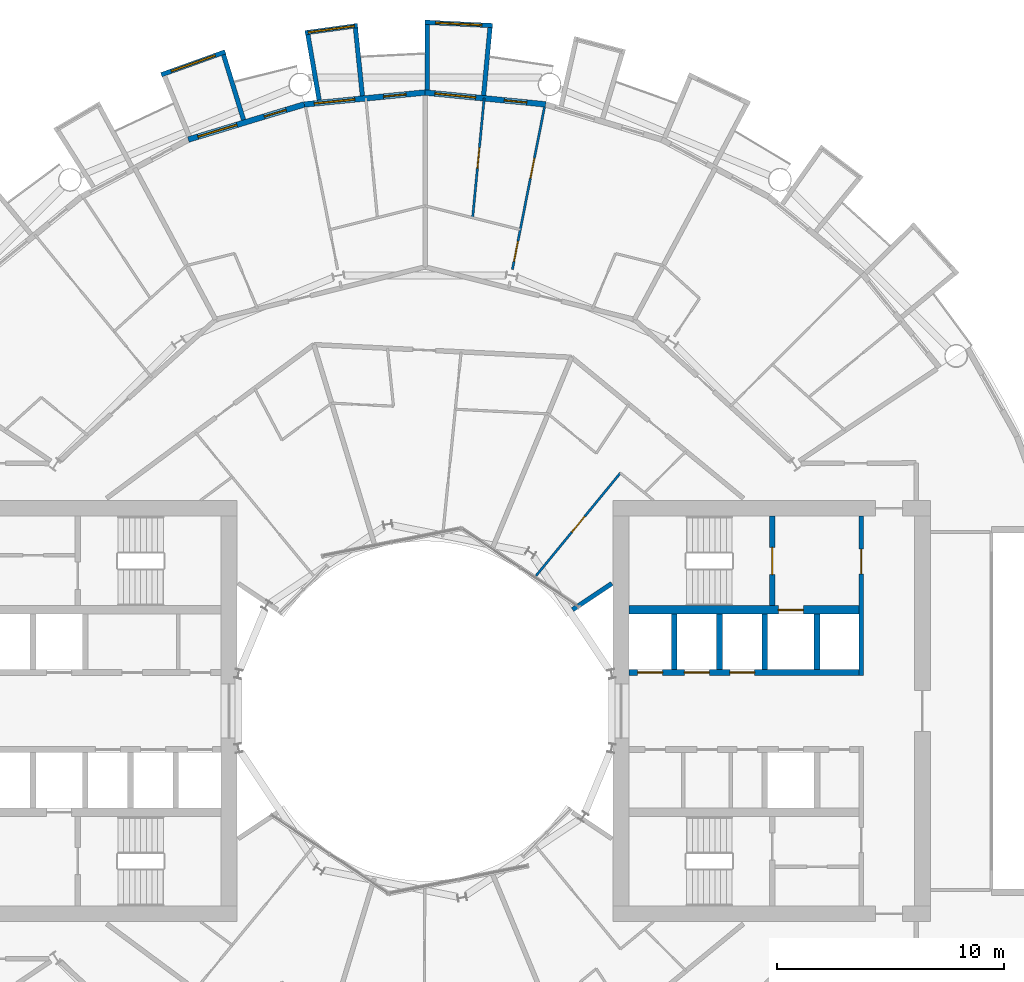
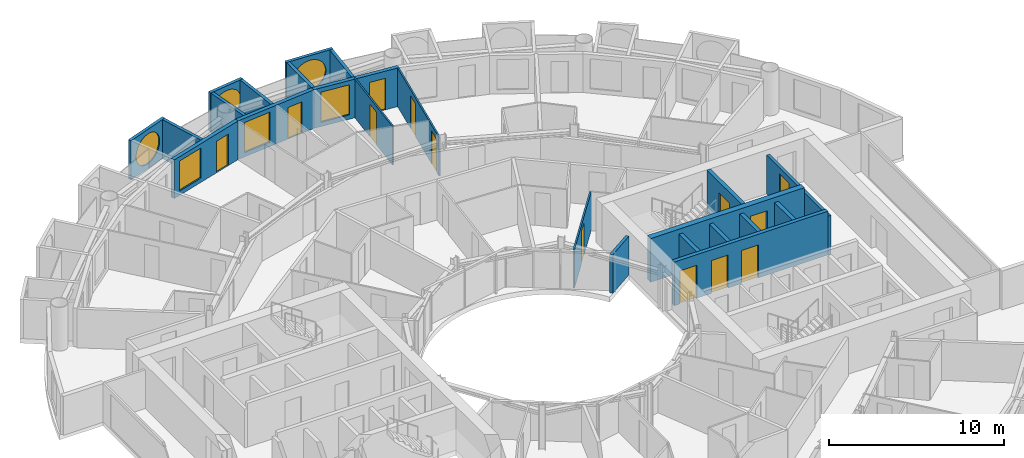
# One storey, part 20 of 26: 23 walls, 13 doors, 6 windows, 19 openings.
"""IFC4 building model written with IfcOpenShell, lengths in metres."""

from ifc_helpers import new_model, si_unit, direction, frame, frame_2d, origin, place, context, subcontext, project, spatial, rectangle, circle, extrude, material, layer, layer_set, type_object, element, fill, save


model = new_model("IFC4")

# Units and contexts
model_context = context("Model", 3, precision=1e-05, world=origin(), true_north=direction((0.0, 1.0)))
body_context = subcontext(model_context, "Body", "Model", "MODEL_VIEW")
ifc_project = project(units=[si_unit("LENGTHUNIT", "METRE"), si_unit("AREAUNIT", "SQUARE_METRE"), si_unit("VOLUMEUNIT", "CUBIC_METRE"), si_unit("PLANEANGLEUNIT", "RADIAN"), si_unit("MASSUNIT", "GRAM", prefix="KILO")], contexts=[model_context])

# Site, building, storey
site_placement = place(None, origin())
site = spatial("IfcSite", under=ifc_project, at=site_placement, CompositionType="ELEMENT")
building_placement = place(site_placement, origin())
building = spatial("IfcBuilding", under=site, at=building_placement, Name="Maasbend Ring Residences", CompositionType="ELEMENT")
storey_placement = place(building_placement, frame((0.0, 0.0, 81.89990234375)))
storey = spatial("IfcBuildingStorey", under=building, at=storey_placement, Name="L23", CompositionType="ELEMENT", Elevation=81.89990234375)

# Wall, openings, doors
ifc_material_1 = material(Name="Concrete C70/85", Category="concrete")
ifc_layer_1 = layer(ifc_material_1, 0.25)
ifc_layer_set_1 = layer_set([ifc_layer_1], Name="Concrete C70/85")
wall_type_1 = type_object("IfcWallType", Name="CORE WALL 250 C70/85", PredefinedType="SHEAR", material=ifc_layer_set_1)
wall_1_placement = place(storey_placement, frame((9.0, 1.699951171875, 0.0), z_axis=(0.0, 0.0, 1.0), x_axis=(1.0, 0.0, 0.0)))
wall_1 = element("IfcWall", 1, at=wall_1_placement, inside=storey, type_object=wall_type_1, Name="L23 core E wall SPN", PredefinedType="SHEAR", context=body_context, shape_type="SweptSolid", body=[
    extrude(rectangle(XDim=10.14990234375, YDim=0.25, at=frame_2d((5.074951171875, 0.0))), origin(), (0.0, 0.0, 1.0), 3.050048828125),
])
opening_1_placement = place(wall_1_placement, frame((0.387451171875, 0.0, 0.0)))
opening_1 = element("IfcOpeningElement", 2, at=opening_1_placement, cuts=wall_1, Name="Opening LD-E2301", PredefinedType="OPENING", context=body_context, shape_type="SweptSolid", body=[
    extrude(rectangle(XDim=1.10009765625, YDim=2.300048828125, at=frame_2d((0.550048828125, 1.14990234375))), frame((0.0, 0.135009765625, 0.0), z_axis=(0.0, -1.0, 0.0), x_axis=(1.0, 0.0, 0.0)), (0.0, 0.0, 1.0), 0.27001953125),
])
opening_2_placement = place(wall_1_placement, frame((2.449951171875, 0.0, 0.0)))
opening_2 = element("IfcOpeningElement", 3, at=opening_2_placement, cuts=wall_1, Name="Opening LD-E2302", PredefinedType="OPENING", context=body_context, shape_type="SweptSolid", body=[
    extrude(rectangle(XDim=1.10009765625, YDim=2.300048828125, at=frame_2d((0.550048828125, 1.14990234375))), frame((0.0, 0.135009765625, 0.0), z_axis=(0.0, -1.0, 0.0), x_axis=(1.0, 0.0, 0.0)), (0.0, 0.0, 1.0), 0.27001953125),
])
opening_3_placement = place(wall_1_placement, frame((4.449951171875, 0.0, 0.0)))
opening_3 = element("IfcOpeningElement", 4, at=opening_3_placement, cuts=wall_1, Name="Opening LD-E2303", PredefinedType="OPENING", context=body_context, shape_type="SweptSolid", body=[
    extrude(rectangle(XDim=1.10009765625, YDim=2.300048828125, at=frame_2d((0.550048828125, 1.14990234375))), frame((0.0, 0.135009765625, 0.0), z_axis=(0.0, -1.0, 0.0), x_axis=(1.0, 0.0, 0.0)), (0.0, 0.0, 1.0), 0.27001953125),
])
ifc_material_2 = material(Name="Stainless steel 316", Category="steel")
door_type_1 = type_object("IfcDoorType", Name="LANDING DOOR 1100 X 2300 FD60", OperationType="DOUBLE_DOOR_SLIDING", PredefinedType="DOOR", material=ifc_material_2)
door_1_placement = place(opening_1_placement, origin())
door_1 = element("IfcDoor", 5, at=door_1_placement, inside=storey, type_object=door_type_1, Name="Landing door LR-E1 L23", OperationType="DOUBLE_DOOR_SLIDING", OverallHeight=2.300048828125, OverallWidth=1.10009765625, PredefinedType="DOOR", context=body_context, shape_type="SweptSolid", body=[
    extrude(rectangle(XDim=1.10009765625, YDim=2.300048828125, at=frame_2d((0.550048828125, 1.14990234375))), frame((0.0, 0.02490234375, 0.0), z_axis=(0.0, -1.0, 0.0), x_axis=(1.0, 0.0, 0.0)), (0.0, 0.0, 1.0), 0.050048828125),
])
fill(opening_1, door_1)
door_2_placement = place(opening_2_placement, origin())
door_2 = element("IfcDoor", 6, at=door_2_placement, inside=storey, type_object=door_type_1, Name="Landing door LR-E2 L23", OperationType="DOUBLE_DOOR_SLIDING", OverallHeight=2.300048828125, OverallWidth=1.10009765625, PredefinedType="DOOR", context=body_context, shape_type="SweptSolid", body=[
    extrude(rectangle(XDim=1.10009765625, YDim=2.300048828125, at=frame_2d((0.550048828125, 1.14990234375))), frame((0.0, 0.02490234375, 0.0), z_axis=(0.0, -1.0, 0.0), x_axis=(1.0, 0.0, 0.0)), (0.0, 0.0, 1.0), 0.050048828125),
])
fill(opening_2, door_2)
door_3_placement = place(opening_3_placement, origin())
door_3 = element("IfcDoor", 7, at=door_3_placement, inside=storey, type_object=door_type_1, Name="Landing door LR-E3 L23", OperationType="DOUBLE_DOOR_SLIDING", OverallHeight=2.300048828125, OverallWidth=1.10009765625, PredefinedType="DOOR", context=body_context, shape_type="SweptSolid", body=[
    extrude(rectangle(XDim=1.10009765625, YDim=2.300048828125, at=frame_2d((0.550048828125, 1.14990234375))), frame((0.0, 0.02490234375, 0.0), z_axis=(0.0, -1.0, 0.0), x_axis=(1.0, 0.0, 0.0)), (0.0, 0.0, 1.0), 0.050048828125),
])
fill(opening_3, door_3)

# Wall, opening, door
wall_2_placement = place(storey_placement, frame((15.324951171875, 4.64990234375, 0.0), z_axis=(0.0, 0.0, 1.0), x_axis=(0.0, 1.0, 0.0)))
wall_2 = element("IfcWall", 8, at=wall_2_placement, inside=storey, type_object=wall_type_1, Name="L23 core E wall STEN", PredefinedType="SHEAR", context=body_context, shape_type="SweptSolid", body=[
    extrude(rectangle(XDim=3.9501953125, YDim=0.25, at=frame_2d((1.97509765625, 0.0))), origin(), (0.0, 0.0, 1.0), 3.050048828125),
])
opening_4_placement = place(wall_2_placement, frame((1.375, 0.0, 0.0)))
opening_4 = element("IfcOpeningElement", 9, at=opening_4_placement, cuts=wall_2, Name="Opening D-E2311", PredefinedType="OPENING", context=body_context, shape_type="SweptSolid", body=[
    extrude(rectangle(XDim=1.199951171875, YDim=2.300048828125, at=frame_2d((0.60009765625, 1.14990234375))), frame((0.0, 0.135009765625, 0.0), z_axis=(0.0, -1.0, 0.0), x_axis=(1.0, 0.0, 0.0)), (0.0, 0.0, 1.0), 0.27001953125),
])
ifc_material_3 = material(Name="Steel, powder coated", Category="steel")
door_type_2 = type_object("IfcDoorType", Name="STAIR DOOR 1200 X 2300 FD60", OperationType="NOTDEFINED", PredefinedType="DOOR", material=ifc_material_3)
door_4_placement = place(opening_4_placement, origin())
door_4 = element("IfcDoor", 10, at=door_4_placement, inside=storey, type_object=door_type_2, Name="Stair door ST-E L23", OperationType="SINGLE_SWING_LEFT", OverallHeight=2.300048828125, OverallWidth=1.199951171875, PredefinedType="DOOR", context=body_context, shape_type="SweptSolid", body=[
    extrude(rectangle(XDim=1.199951171875, YDim=2.300048828125, at=frame_2d((0.60009765625, 1.14990234375))), frame((0.0, 0.02490234375, 0.0), z_axis=(0.0, -1.0, 0.0), x_axis=(1.0, 0.0, 0.0)), (0.0, 0.0, 1.0), 0.050048828125),
])
fill(opening_4, door_4)

ifc_material_4 = material(Name="Concrete C70/85", Category="concrete")
ifc_layer_2 = layer(ifc_material_4, 0.375)
ifc_layer_set_2 = layer_set([ifc_layer_2], Name="Concrete C70/85")
wall_type_2 = type_object("IfcWallType", Name="CORE WALL 375 C70/85", PredefinedType="SHEAR", material=ifc_layer_set_2)
wall_3_placement = place(storey_placement, frame((9.0, 4.46240234375, 0.0), z_axis=(0.0, 0.0, 1.0), x_axis=(1.0, 0.0, 0.0)))
wall_3 = element("IfcWall", 11, at=wall_3_placement, inside=storey, type_object=wall_type_2, Name="L23 core E wall BN", PredefinedType="SHEAR", context=body_context, shape_type="SweptSolid", body=[
    extrude(rectangle(XDim=10.14990234375, YDim=0.375, at=frame_2d((5.074951171875, 0.0))), origin(), (0.0, 0.0, 1.0), 3.050048828125),
])
opening_5_placement = place(wall_3_placement, frame((6.60009765625, 0.0, 0.0)))
opening_5 = element("IfcOpeningElement", 12, at=opening_5_placement, cuts=wall_3, Name="Opening LD-E2304", PredefinedType="OPENING", context=body_context, shape_type="SweptSolid", body=[
    extrude(rectangle(XDim=1.10009765625, YDim=2.300048828125, at=frame_2d((0.550048828125, 1.14990234375))), frame((0.0, 0.197509765625, 0.0), z_axis=(0.0, -1.0, 0.0), x_axis=(1.0, 0.0, 0.0)), (0.0, 0.0, 1.0), 0.39501953125),
])
door_5_placement = place(opening_5_placement, origin())
door_5 = element("IfcDoor", 13, at=door_5_placement, inside=storey, type_object=door_type_1, Name="Landing door FF-E L23", OperationType="DOUBLE_DOOR_SLIDING", OverallHeight=2.300048828125, OverallWidth=1.10009765625, PredefinedType="DOOR", context=body_context, shape_type="SweptSolid", body=[
    extrude(rectangle(XDim=1.10009765625, YDim=2.300048828125, at=frame_2d((0.550048828125, 1.14990234375))), frame((0.0, 0.02490234375, 0.0), z_axis=(0.0, -1.0, 0.0), x_axis=(1.0, 0.0, 0.0)), (0.0, 0.0, 1.0), 0.050048828125),
])
fill(opening_5, door_5)

# Wall, opening, window
ifc_material_5 = material(Name="Pale anodised aluminium panel", Category="aluminium")
ifc_layer_3 = layer(ifc_material_5, 0.199951171875)
ifc_layer_set_3 = layer_set([ifc_layer_3], Name="EW-BOX")
wall_type_3 = type_object("IfcWallType", Name="EW-BOX", PredefinedType="SOLIDWALL", material=ifc_layer_set_3)
wall_4_placement = place(storey_placement, frame((2.985107421875, 30.2529296875, -0.02978515625), z_axis=(0.0, 0.0, 1.0), x_axis=(-0.998794083011, 0.049095618353, 0.0)))
wall_4 = element("IfcWall", 14, at=wall_4_placement, inside=storey, type_object=wall_type_3, Name="Box front N10", PredefinedType="SOLIDWALL", context=body_context, shape_type="SweptSolid", body=[
    extrude(rectangle(XDim=2.99365234375, YDim=0.199951171875, at=frame_2d((1.496826171875, 0.0))), origin(), (0.0, 0.0, 1.0), 2.72998046875),
])
opening_6_placement = place(wall_4_placement, frame((0.45654296875, 0.0, 0.330078125)))
opening_6 = element("IfcOpeningElement", 15, at=opening_6_placement, cuts=wall_4, Name="Opening W-RD", PredefinedType="OPENING", context=body_context, shape_type="SweptSolid", body=[
    extrude(circle(Radius=1.0400390625, at=frame_2d((1.0400390625, 1.0400390625))), frame((0.0, 0.10986328125, 0.0), z_axis=(0.0, -1.0, 0.0), x_axis=(1.0, 0.0, 0.0)), (0.0, 0.0, 1.0), 0.219970703125),
])
ifc_material_6 = material(Name="Aluminium and clear glass", Category="aluminium")
window_type_1 = type_object("IfcWindowType", Name="W-RD", PartitioningType="SINGLE_PANEL", PredefinedType="WINDOW", material=ifc_material_6)
window_1_placement = place(opening_6_placement, origin())
window_1 = element("IfcWindow", 16, at=window_1_placement, inside=storey, type_object=window_type_1, Name="Round window N10", OverallHeight=2.080078125, OverallWidth=2.080078125, PartitioningType="SINGLE_PANEL", PredefinedType="WINDOW", context=body_context, shape_type="SweptSolid", body=[
    extrude(circle(Radius=1.0400390625, at=frame_2d((1.0400390625, 1.0400390625))), frame((0.0, 0.030029296875, 0.0), z_axis=(0.0, -1.0, 0.0), x_axis=(1.0, 0.0, 0.0)), (0.0, 0.0, 1.0), 0.06005859375),
])
fill(opening_6, window_1)

# Walls
wall_5_placement = place(storey_placement, frame((2.5859375, 27.1708984375, -0.02978515625), z_axis=(0.0, 0.0, 1.0), x_axis=(0.094548432284, 0.995520262954, 0.0)))
element("IfcWall", 17, at=wall_5_placement, inside=storey, type_object=wall_type_3, Name="Box side wall N10 left", PredefinedType="SOLIDWALL", context=body_context, shape_type="SweptSolid", body=[
    extrude(rectangle(XDim=3.005615234375, YDim=0.199951171875, at=frame_2d((1.5029296875, 0.0))), origin(), (0.0, 0.0, 1.0), 2.72998046875),
])
wall_6_placement = place(storey_placement, frame((0.090087890625, 27.4169921875, -0.02978515625), z_axis=(0.0, 0.0, 1.0), x_axis=(0.00347308367, 0.999993968827, 0.0)))
element("IfcWall", 18, at=wall_6_placement, inside=storey, type_object=wall_type_3, Name="Box side wall N10 right", PredefinedType="SOLIDWALL", context=body_context, shape_type="SweptSolid", body=[
    extrude(rectangle(XDim=2.882080078125, YDim=0.199951171875, at=frame_2d((1.44091796875, 0.0))), origin(), (0.0, 0.0, 1.0), 2.72998046875),
])

# Wall, opening, window
wall_7_placement = place(storey_placement, frame((-2.97607421875, 30.25390625, -0.02978515625), z_axis=(0.0, 0.0, 1.0), x_axis=(-0.990696111261, -0.136092671119, 0.0)))
wall_7 = element("IfcWall", 19, at=wall_7_placement, inside=storey, type_object=wall_type_3, Name="Box front N12", PredefinedType="SOLIDWALL", context=body_context, shape_type="SweptSolid", body=[
    extrude(rectangle(XDim=2.335693359375, YDim=0.199951171875, at=frame_2d((1.16796875, 0.0))), origin(), (0.0, 0.0, 1.0), 2.72998046875),
])
opening_7_placement = place(wall_7_placement, frame((0.128173828125, 0.0, 0.330078125)))
opening_7 = element("IfcOpeningElement", 20, at=opening_7_placement, cuts=wall_7, Name="Opening W-RD", PredefinedType="OPENING", context=body_context, shape_type="SweptSolid", body=[
    extrude(circle(Radius=1.0400390625, at=frame_2d((1.0400390625, 1.0400390625))), frame((0.0, 0.10986328125, 0.0), z_axis=(0.0, -1.0, 0.0), x_axis=(1.0, 0.0, 0.0)), (0.0, 0.0, 1.0), 0.219970703125),
])
window_2_placement = place(opening_7_placement, origin())
window_2 = element("IfcWindow", 21, at=window_2_placement, inside=storey, type_object=window_type_1, Name="Round window N12", OverallHeight=2.080078125, OverallWidth=2.080078125, PartitioningType="SINGLE_PANEL", PredefinedType="WINDOW", context=body_context, shape_type="SweptSolid", body=[
    extrude(circle(Radius=1.0400390625, at=frame_2d((1.0400390625, 1.0400390625))), frame((0.0, 0.030029296875, 0.0), z_axis=(0.0, -1.0, 0.0), x_axis=(1.0, 0.0, 0.0)), (0.0, 0.0, 1.0), 0.06005859375),
])
fill(opening_7, window_2)

# Walls
wall_8_placement = place(storey_placement, frame((-2.763916015625, 27.153076171875, -0.02978515625), z_axis=(0.0, 0.0, 1.0), x_axis=(-0.101505487237, 0.994834979311, 0.0)))
element("IfcWall", 22, at=wall_8_placement, inside=storey, type_object=wall_type_3, Name="Box side wall N12 left", PredefinedType="SOLIDWALL", context=body_context, shape_type="SweptSolid", body=[
    extrude(rectangle(XDim=3.006591796875, YDim=0.199951171875, at=frame_2d((1.50341796875, 0.0))), origin(), (0.0, 0.0, 1.0), 2.72998046875),
])
wall_9_placement = place(storey_placement, frame((-4.6708984375, 26.966064453125, -0.02978515625), z_axis=(0.0, 0.0, 1.0), x_axis=(-0.170539878907, 0.985350774954, 0.0)))
element("IfcWall", 23, at=wall_9_placement, inside=storey, type_object=wall_type_3, Name="Box side wall N12 right", PredefinedType="SOLIDWALL", context=body_context, shape_type="SweptSolid", body=[
    extrude(rectangle(XDim=2.931884765625, YDim=0.199951171875, at=frame_2d((1.4658203125, 0.0))), origin(), (0.0, 0.0, 1.0), 2.72998046875),
])

# Wall, opening, window
wall_10_placement = place(storey_placement, frame((-8.820068359375, 29.093017578125, -0.02978515625), z_axis=(0.0, 0.0, 1.0), x_axis=(-0.941461077774, -0.337121697664, 0.0)))
wall_10 = element("IfcWall", 24, at=wall_10_placement, inside=storey, type_object=wall_type_3, Name="Box front N14", PredefinedType="SOLIDWALL", context=body_context, shape_type="SweptSolid", body=[
    extrude(rectangle(XDim=2.9931640625, YDim=0.199951171875, at=frame_2d((1.49658203125, 0.0))), origin(), (0.0, 0.0, 1.0), 2.72998046875),
])
opening_8_placement = place(wall_10_placement, frame((0.45654296875, 0.0, 0.330078125)))
opening_8 = element("IfcOpeningElement", 25, at=opening_8_placement, cuts=wall_10, Name="Opening W-RD", PredefinedType="OPENING", context=body_context, shape_type="SweptSolid", body=[
    extrude(circle(Radius=1.0400390625, at=frame_2d((1.0400390625, 1.0400390625))), frame((0.0, 0.10986328125, 0.0), z_axis=(0.0, -1.0, 0.0), x_axis=(1.0, 0.0, 0.0)), (0.0, 0.0, 1.0), 0.219970703125),
])
window_3_placement = place(opening_8_placement, origin())
window_3 = element("IfcWindow", 26, at=window_3_placement, inside=storey, type_object=window_type_1, Name="Round window N14", OverallHeight=2.080078125, OverallWidth=2.080078125, PartitioningType="SINGLE_PANEL", PredefinedType="WINDOW", context=body_context, shape_type="SweptSolid", body=[
    extrude(circle(Radius=1.0400390625, at=frame_2d((1.0400390625, 1.0400390625))), frame((0.0, 0.030029296875, 0.0), z_axis=(0.0, -1.0, 0.0), x_axis=(1.0, 0.0, 0.0)), (0.0, 0.0, 1.0), 0.06005859375),
])
fill(opening_8, window_3)

# Wall
wall_11_placement = place(storey_placement, frame((-8.009033203125, 26.092041015625, -0.02978515625), z_axis=(0.0, 0.0, 1.0), x_axis=(-0.293406695073, 0.955987715029, 0.0)))
element("IfcWall", 27, at=wall_11_placement, inside=storey, type_object=wall_type_3, Name="Box side wall N14 left", PredefinedType="SOLIDWALL", context=body_context, shape_type="SweptSolid", body=[
    extrude(rectangle(XDim=3.00634765625, YDim=0.199951171875, at=frame_2d((1.503173828125, 0.0))), origin(), (0.0, 0.0, 1.0), 2.72998046875),
])

# Wall, openings, door, window
ifc_material_7 = material(Name="Aluminium clad insulated panel", Category="aluminium")
ifc_layer_4 = layer(ifc_material_7, 0.25)
ifc_layer_set_4 = layer_set([ifc_layer_4], Name="EW-GL")
wall_type_4 = type_object("IfcWallType", Name="EW-GL", PredefinedType="SOLIDWALL", material=ifc_layer_set_4)
wall_12_placement = place(storey_placement, frame((5.325927734375, 26.77490234375, 0.0), z_axis=(0.0, 0.0, 1.0), x_axis=(-0.995173996315, 0.098126026407, 0.0)))
wall_12 = element("IfcWall", 28, at=wall_12_placement, inside=storey, type_object=wall_type_4, Name="External wall N05", PredefinedType="SOLIDWALL", context=body_context, shape_type="SweptSolid", body=[
    extrude(rectangle(XDim=5.351806640625, YDim=0.25, at=frame_2d((2.67578125, 0.0))), origin(), (0.0, 0.0, 1.0), 2.7001953125),
])
opening_9_placement = place(wall_12_placement, frame((0.841064453125, 0.0, 0.0)))
opening_9 = element("IfcOpeningElement", 29, at=opening_9_placement, cuts=wall_12, Name="Opening D-LG", PredefinedType="OPENING", context=body_context, shape_type="SweptSolid", body=[
    extrude(rectangle(XDim=1.0, YDim=2.199951171875, at=frame_2d((0.5, 1.10009765625))), frame((0.0, 0.135009765625, 0.0), z_axis=(0.0, -1.0, 0.0), x_axis=(1.0, 0.0, 0.0)), (0.0, 0.0, 1.0), 0.27001953125),
])
opening_10_placement = place(wall_12_placement, frame((3.110595703125, 0.0, 0.300048828125)))
opening_10 = element("IfcOpeningElement", 30, at=opening_10_placement, cuts=wall_12, Name="Opening W-BX", PredefinedType="OPENING", context=body_context, shape_type="SweptSolid", body=[
    extrude(rectangle(XDim=1.800048828125, YDim=2.10009765625, at=frame_2d((0.89990234375, 1.050048828125))), frame((0.0, 0.135009765625, 0.0), z_axis=(0.0, -1.0, 0.0), x_axis=(1.0, 0.0, 0.0)), (0.0, 0.0, 1.0), 0.27001953125),
])
ifc_material_8 = material(Name="Aluminium and clear glass", Category="aluminium")
door_type_3 = type_object("IfcDoorType", Name="D-LG", OperationType="SINGLE_SWING_LEFT", PredefinedType="DOOR", material=ifc_material_8)
door_6_placement = place(opening_9_placement, origin())
door_6 = element("IfcDoor", 31, at=door_6_placement, inside=storey, type_object=door_type_3, Name="Loggia door N09", OperationType="SINGLE_SWING_LEFT", OverallHeight=2.199951171875, OverallWidth=1.0, PredefinedType="DOOR", context=body_context, shape_type="SweptSolid", body=[
    extrude(rectangle(XDim=1.0, YDim=2.199951171875, at=frame_2d((0.5, 1.10009765625))), frame((0.0, 0.02490234375, 0.0), z_axis=(0.0, -1.0, 0.0), x_axis=(1.0, 0.0, 0.0)), (0.0, 0.0, 1.0), 0.050048828125),
])
fill(opening_9, door_6)
ifc_material_9 = material(Name="Aluminium and clear glass", Category="aluminium")
window_type_2 = type_object("IfcWindowType", Name="W-BX", PartitioningType="DOUBLE_PANEL_VERTICAL", PredefinedType="WINDOW", material=ifc_material_9)
window_4_placement = place(opening_10_placement, origin())
window_4 = element("IfcWindow", 32, at=window_4_placement, inside=storey, type_object=window_type_2, Name="Window N10 room to box", OverallHeight=2.10009765625, OverallWidth=1.800048828125, PartitioningType="SINGLE_PANEL", PredefinedType="WINDOW", context=body_context, shape_type="SweptSolid", body=[
    extrude(rectangle(XDim=1.800048828125, YDim=2.10009765625, at=frame_2d((0.89990234375, 1.050048828125))), frame((0.0, 0.030029296875, 0.0), z_axis=(0.0, -1.0, 0.0), x_axis=(1.0, 0.0, 0.0)), (0.0, 0.0, 1.0), 0.06005859375),
])
fill(opening_10, window_4)

wall_13_placement = place(storey_placement, frame((0.0, 27.300048828125, 0.0), z_axis=(0.0, 0.0, 1.0), x_axis=(-0.995173996315, -0.098126026407, 0.0)))
wall_13 = element("IfcWall", 33, at=wall_13_placement, inside=storey, type_object=wall_type_4, Name="External wall N06", PredefinedType="SOLIDWALL", context=body_context, shape_type="SweptSolid", body=[
    extrude(rectangle(XDim=5.351806640625, YDim=0.25, at=frame_2d((2.67578125, 0.0))), origin(), (0.0, 0.0, 1.0), 2.7001953125),
])
opening_11_placement = place(wall_13_placement, frame((0.841064453125, 0.0, 0.0)))
opening_11 = element("IfcOpeningElement", 34, at=opening_11_placement, cuts=wall_13, Name="Opening D-LG", PredefinedType="OPENING", context=body_context, shape_type="SweptSolid", body=[
    extrude(rectangle(XDim=1.0, YDim=2.199951171875, at=frame_2d((0.5, 1.10009765625))), frame((0.0, 0.135009765625, 0.0), z_axis=(0.0, -1.0, 0.0), x_axis=(1.0, 0.0, 0.0)), (0.0, 0.0, 1.0), 0.27001953125),
])
opening_12_placement = place(wall_13_placement, frame((3.110595703125, 0.0, 0.300048828125)))
opening_12 = element("IfcOpeningElement", 35, at=opening_12_placement, cuts=wall_13, Name="Opening W-BX", PredefinedType="OPENING", context=body_context, shape_type="SweptSolid", body=[
    extrude(rectangle(XDim=1.800048828125, YDim=2.10009765625, at=frame_2d((0.89990234375, 1.050048828125))), frame((0.0, 0.135009765625, 0.0), z_axis=(0.0, -1.0, 0.0), x_axis=(1.0, 0.0, 0.0)), (0.0, 0.0, 1.0), 0.27001953125),
])
door_7_placement = place(opening_11_placement, origin())
door_7 = element("IfcDoor", 36, at=door_7_placement, inside=storey, type_object=door_type_3, Name="Loggia door N11", OperationType="SINGLE_SWING_LEFT", OverallHeight=2.199951171875, OverallWidth=1.0, PredefinedType="DOOR", context=body_context, shape_type="SweptSolid", body=[
    extrude(rectangle(XDim=1.0, YDim=2.199951171875, at=frame_2d((0.5, 1.10009765625))), frame((0.0, 0.02490234375, 0.0), z_axis=(0.0, -1.0, 0.0), x_axis=(1.0, 0.0, 0.0)), (0.0, 0.0, 1.0), 0.050048828125),
])
fill(opening_11, door_7)
window_5_placement = place(opening_12_placement, origin())
window_5 = element("IfcWindow", 37, at=window_5_placement, inside=storey, type_object=window_type_2, Name="Window N12 room to box", OverallHeight=2.10009765625, OverallWidth=1.800048828125, PartitioningType="SINGLE_PANEL", PredefinedType="WINDOW", context=body_context, shape_type="SweptSolid", body=[
    extrude(rectangle(XDim=1.800048828125, YDim=2.10009765625, at=frame_2d((0.89990234375, 1.050048828125))), frame((0.0, 0.030029296875, 0.0), z_axis=(0.0, -1.0, 0.0), x_axis=(1.0, 0.0, 0.0)), (0.0, 0.0, 1.0), 0.06005859375),
])
fill(opening_12, window_5)

wall_14_placement = place(storey_placement, frame((-5.325927734375, 26.77490234375, 0.0), z_axis=(0.0, 0.0, 1.0), x_axis=(-0.956965678721, -0.290201119486, 0.0)))
wall_14 = element("IfcWall", 38, at=wall_14_placement, inside=storey, type_object=wall_type_4, Name="External wall N07", PredefinedType="SOLIDWALL", context=body_context, shape_type="SweptSolid", body=[
    extrude(rectangle(XDim=5.351318359375, YDim=0.25, at=frame_2d((2.67578125, 0.0))), origin(), (0.0, 0.0, 1.0), 2.7001953125),
])
opening_13_placement = place(wall_14_placement, frame((0.841064453125, 0.0, 0.0)))
opening_13 = element("IfcOpeningElement", 39, at=opening_13_placement, cuts=wall_14, Name="Opening D-LG", PredefinedType="OPENING", context=body_context, shape_type="SweptSolid", body=[
    extrude(rectangle(XDim=1.0, YDim=2.199951171875, at=frame_2d((0.5, 1.10009765625))), frame((0.0, 0.135009765625, 0.0), z_axis=(0.0, -1.0, 0.0), x_axis=(1.0, 0.0, 0.0)), (0.0, 0.0, 1.0), 0.27001953125),
])
opening_14_placement = place(wall_14_placement, frame((3.110595703125, 0.0, 0.300048828125)))
opening_14 = element("IfcOpeningElement", 40, at=opening_14_placement, cuts=wall_14, Name="Opening W-BX", PredefinedType="OPENING", context=body_context, shape_type="SweptSolid", body=[
    extrude(rectangle(XDim=1.800048828125, YDim=2.10009765625, at=frame_2d((0.89990234375, 1.050048828125))), frame((0.0, 0.135009765625, 0.0), z_axis=(0.0, -1.0, 0.0), x_axis=(1.0, 0.0, 0.0)), (0.0, 0.0, 1.0), 0.27001953125),
])
door_8_placement = place(opening_13_placement, origin())
door_8 = element("IfcDoor", 41, at=door_8_placement, inside=storey, type_object=door_type_3, Name="Loggia door N13", OperationType="SINGLE_SWING_LEFT", OverallHeight=2.199951171875, OverallWidth=1.0, PredefinedType="DOOR", context=body_context, shape_type="SweptSolid", body=[
    extrude(rectangle(XDim=1.0, YDim=2.199951171875, at=frame_2d((0.5, 1.10009765625))), frame((0.0, 0.02490234375, 0.0), z_axis=(0.0, -1.0, 0.0), x_axis=(1.0, 0.0, 0.0)), (0.0, 0.0, 1.0), 0.050048828125),
])
fill(opening_13, door_8)
window_6_placement = place(opening_14_placement, origin())
window_6 = element("IfcWindow", 42, at=window_6_placement, inside=storey, type_object=window_type_2, Name="Window N14 room to box", OverallHeight=2.10009765625, OverallWidth=1.800048828125, PartitioningType="SINGLE_PANEL", PredefinedType="WINDOW", context=body_context, shape_type="SweptSolid", body=[
    extrude(rectangle(XDim=1.800048828125, YDim=2.10009765625, at=frame_2d((0.89990234375, 1.050048828125))), frame((0.0, 0.030029296875, 0.0), z_axis=(0.0, -1.0, 0.0), x_axis=(1.0, 0.0, 0.0)), (0.0, 0.0, 1.0), 0.06005859375),
])
fill(opening_14, window_6)

# Wall, opening, door
ifc_material_10 = material(Name="Gypsum board on steel studs", Category="steel")
ifc_layer_5 = layer(ifc_material_10, 0.10009765625)
ifc_layer_set_5 = layer_set([ifc_layer_5], Name="PARTITION 100 GYPSUM")
wall_type_5 = type_object("IfcWallType", Name="PARTITION 100 GYPSUM", PredefinedType="PARTITIONING", material=ifc_layer_set_5)
wall_15_placement = place(storey_placement, frame((2.10205078125, 21.77294921875, 0.0), z_axis=(0.0, 0.0, 1.0), x_axis=(0.096215269366, 0.995360548716, 0.0)))
wall_15 = element("IfcWall", 43, at=wall_15_placement, inside=storey, type_object=wall_type_5, Name="U-L23-w057", PredefinedType="PARTITIONING", context=body_context, shape_type="SweptSolid", body=[
    extrude(rectangle(XDim=5.30078125, YDim=0.10009765625, at=frame_2d((2.650390625, 0.0))), origin(), (0.0, 0.0, 1.0), 2.7001953125),
])
opening_15_placement = place(wall_15_placement, frame((2.199951171875, 0.0, 0.0)))
opening_15 = element("IfcOpeningElement", 44, at=opening_15_placement, cuts=wall_15, Name="Opening D-2310", PredefinedType="OPENING", context=body_context, shape_type="SweptSolid", body=[
    extrude(rectangle(XDim=0.89990234375, YDim=2.300048828125, at=frame_2d((0.449951171875, 1.14990234375))), frame((0.0, 0.06005859375, 0.0), z_axis=(0.0, -1.0, 0.0), x_axis=(1.0, 0.0, 0.0)), (0.0, 0.0, 1.0), 0.1201171875),
])
ifc_material_11 = material(Name="Timber, painted", Category="wood")
door_type_4 = type_object("IfcDoorType", Name="INTERNAL DOOR 900 X 2300", OperationType="NOTDEFINED", PredefinedType="DOOR", material=ifc_material_11)
door_9_placement = place(opening_15_placement, origin())
door_9 = element("IfcDoor", 45, at=door_9_placement, inside=storey, type_object=door_type_4, Name="D-2310", OperationType="SINGLE_SWING_RIGHT", OverallHeight=2.300048828125, OverallWidth=0.89990234375, PredefinedType="DOOR", context=body_context, shape_type="SweptSolid", body=[
    extrude(rectangle(XDim=0.89990234375, YDim=2.300048828125, at=frame_2d((0.449951171875, 1.14990234375))), frame((0.0, 0.02490234375, 0.0), z_axis=(0.0, -1.0, 0.0), x_axis=(1.0, 0.0, 0.0)), (0.0, 0.0, 1.0), 0.050048828125),
])
fill(opening_15, door_9)

# Wall, openings, doors
wall_16_placement = place(storey_placement, frame((3.85595703125, 19.48388671875, 0.0), z_axis=(0.0, 0.0, 1.0), x_axis=(0.193900661819, 0.981021168654, 0.0)))
wall_16 = element("IfcWall", 46, at=wall_16_placement, inside=storey, type_object=wall_type_5, Name="U-L23-w062", PredefinedType="PARTITIONING", context=body_context, shape_type="SweptSolid", body=[
    extrude(rectangle(XDim=7.312744140625, YDim=0.10009765625, at=frame_2d((3.65625, 0.0))), origin(), (0.0, 0.0, 1.0), 2.7001953125),
])
opening_16_placement = place(wall_16_placement, frame((0.3740234375, 0.0, 0.0)))
opening_16 = element("IfcOpeningElement", 47, at=opening_16_placement, cuts=wall_16, Name="Opening D-2308", PredefinedType="OPENING", context=body_context, shape_type="SweptSolid", body=[
    extrude(rectangle(XDim=0.89990234375, YDim=2.300048828125, at=frame_2d((0.449951171875, 1.14990234375))), frame((0.0, 0.06005859375, 0.0), z_axis=(0.0, -1.0, 0.0), x_axis=(1.0, 0.0, 0.0)), (0.0, 0.0, 1.0), 0.1201171875),
])
opening_17_placement = place(wall_16_placement, frame((4.10498046875, 0.0, 0.0)))
opening_17 = element("IfcOpeningElement", 48, at=opening_17_placement, cuts=wall_16, Name="Opening D-2309", PredefinedType="OPENING", context=body_context, shape_type="SweptSolid", body=[
    extrude(rectangle(XDim=0.89990234375, YDim=2.300048828125, at=frame_2d((0.449951171875, 1.14990234375))), frame((0.0, 0.06005859375, 0.0), z_axis=(0.0, -1.0, 0.0), x_axis=(1.0, 0.0, 0.0)), (0.0, 0.0, 1.0), 0.1201171875),
])
door_10_placement = place(opening_16_placement, origin())
door_10 = element("IfcDoor", 49, at=door_10_placement, inside=storey, type_object=door_type_4, Name="D-2308", OperationType="SINGLE_SWING_LEFT", OverallHeight=2.300048828125, OverallWidth=0.89990234375, PredefinedType="DOOR", context=body_context, shape_type="SweptSolid", body=[
    extrude(rectangle(XDim=0.89990234375, YDim=2.300048828125, at=frame_2d((0.449951171875, 1.14990234375))), frame((0.0, 0.02490234375, 0.0), z_axis=(0.0, -1.0, 0.0), x_axis=(1.0, 0.0, 0.0)), (0.0, 0.0, 1.0), 0.050048828125),
])
fill(opening_16, door_10)
door_11_placement = place(opening_17_placement, origin())
door_11 = element("IfcDoor", 50, at=door_11_placement, inside=storey, type_object=door_type_4, Name="D-2309", OperationType="SINGLE_SWING_RIGHT", OverallHeight=2.300048828125, OverallWidth=0.89990234375, PredefinedType="DOOR", context=body_context, shape_type="SweptSolid", body=[
    extrude(rectangle(XDim=0.89990234375, YDim=2.300048828125, at=frame_2d((0.449951171875, 1.14990234375))), frame((0.0, 0.02490234375, 0.0), z_axis=(0.0, -1.0, 0.0), x_axis=(1.0, 0.0, 0.0)), (0.0, 0.0, 1.0), 0.050048828125),
])
fill(opening_17, door_11)

# Wall, opening, door
wall_17_placement = place(storey_placement, frame((4.89794921875, 5.968017578125, 0.0), z_axis=(0.0, 0.0, 1.0), x_axis=(0.634358693064, 0.773038840249, 0.0)))
wall_17 = element("IfcWall", 51, at=wall_17_placement, inside=storey, type_object=wall_type_5, Name="U-L23-w064", PredefinedType="PARTITIONING", context=body_context, shape_type="SweptSolid", body=[
    extrude(rectangle(XDim=5.86767578125, YDim=0.10009765625, at=frame_2d((2.933837890625, 0.0))), origin(), (0.0, 0.0, 1.0), 2.7001953125),
])
opening_18_placement = place(wall_17_placement, frame((2.48388671875, 0.0, 0.0)))
opening_18 = element("IfcOpeningElement", 52, at=opening_18_placement, cuts=wall_17, Name="Opening D-2324", PredefinedType="OPENING", context=body_context, shape_type="SweptSolid", body=[
    extrude(rectangle(XDim=0.89990234375, YDim=2.300048828125, at=frame_2d((0.449951171875, 1.14990234375))), frame((0.0, 0.06005859375, 0.0), z_axis=(0.0, -1.0, 0.0), x_axis=(1.0, 0.0, 0.0)), (0.0, 0.0, 1.0), 0.1201171875),
])
door_12_placement = place(opening_18_placement, origin())
door_12 = element("IfcDoor", 53, at=door_12_placement, inside=storey, type_object=door_type_4, Name="D-2324", OperationType="SINGLE_SWING_RIGHT", OverallHeight=2.300048828125, OverallWidth=0.89990234375, PredefinedType="DOOR", context=body_context, shape_type="SweptSolid", body=[
    extrude(rectangle(XDim=0.89990234375, YDim=2.300048828125, at=frame_2d((0.449951171875, 1.14990234375))), frame((0.0, 0.02490234375, 0.0), z_axis=(0.0, -1.0, 0.0), x_axis=(1.0, 0.0, 0.0)), (0.0, 0.0, 1.0), 0.050048828125),
])
fill(opening_18, door_12)

# Wall
ifc_material_12 = material(Name="Concrete C30/37", Category="concrete")
ifc_layer_6 = layer(ifc_material_12, 0.199951171875)
ifc_layer_set_6 = layer_set([ifc_layer_6], Name="Concrete C30/37")
wall_type_6 = type_object("IfcWallType", Name="PARTY WALL 200 CONCRETE", PredefinedType="PARTITIONING", material=ifc_layer_set_6)
wall_18_placement = place(storey_placement, frame((6.512939453125, 4.471923828125, 0.0), z_axis=(0.0, 0.0, 1.0), x_axis=(0.831382204863, 0.555701025225, 0.0)))
element("IfcWall", 54, at=wall_18_placement, inside=storey, type_object=wall_type_6, Name="U-L23-w083", PredefinedType="PARTITIONING", context=body_context, shape_type="SweptSolid", body=[
    extrude(rectangle(XDim=2.08203125, YDim=0.199951171875, at=frame_2d((1.041015625, 0.0))), origin(), (0.0, 0.0, 1.0), 2.7001953125),
])

# Wall, opening, door
ifc_material_13 = material(Name="Concrete C30/37", Category="concrete")
ifc_layer_7 = layer(ifc_material_13, 0.199951171875)
ifc_layer_set_7 = layer_set([ifc_layer_7], Name="Concrete C30/37")
wall_type_7 = type_object("IfcWallType", Name="SHAFT WALL 200 EI 120", PredefinedType="SOLIDWALL", material=ifc_layer_set_7)
wall_19_placement = place(storey_placement, frame((19.25, 1.574951171875, 0.0), z_axis=(0.0, 0.0, 1.0), x_axis=(0.0, 1.0, 0.0)))
wall_19 = element("IfcWall", 55, at=wall_19_placement, inside=storey, type_object=wall_type_7, Name="L23 core E wall ENDN", PredefinedType="SOLIDWALL", context=body_context, shape_type="SweptSolid", body=[
    extrude(rectangle(XDim=7.025146484375, YDim=0.199951171875, at=frame_2d((3.5126953125, 0.0))), origin(), (0.0, 0.0, 1.0), 2.7001953125),
])
opening_19_placement = place(wall_19_placement, frame((4.47509765625, 0.0, 0.0)))
opening_19 = element("IfcOpeningElement", 56, at=opening_19_placement, cuts=wall_19, Name="Opening D-E2313", PredefinedType="OPENING", context=body_context, shape_type="SweptSolid", body=[
    extrude(rectangle(XDim=1.10009765625, YDim=2.300048828125, at=frame_2d((0.550048828125, 1.14990234375))), frame((0.0, 0.10986328125, 0.0), z_axis=(0.0, -1.0, 0.0), x_axis=(1.0, 0.0, 0.0)), (0.0, 0.0, 1.0), 0.219970703125),
])
ifc_material_14 = material(Name="Steel, powder coated", Category="steel")
door_type_5 = type_object("IfcDoorType", Name="LOBBY DOOR 1100 X 2300 FD60", OperationType="NOTDEFINED", PredefinedType="DOOR", material=ifc_material_14)
door_13_placement = place(opening_19_placement, origin())
door_13 = element("IfcDoor", 57, at=door_13_placement, inside=storey, type_object=door_type_5, Name="Lobby door L23", OperationType="SINGLE_SWING_LEFT", OverallHeight=2.300048828125, OverallWidth=1.10009765625, PredefinedType="DOOR", context=body_context, shape_type="SweptSolid", body=[
    extrude(rectangle(XDim=1.10009765625, YDim=2.300048828125, at=frame_2d((0.550048828125, 1.14990234375))), frame((0.0, 0.02490234375, 0.0), z_axis=(0.0, -1.0, 0.0), x_axis=(1.0, 0.0, 0.0)), (0.0, 0.0, 1.0), 0.050048828125),
])
fill(opening_19, door_13)

# Walls
ifc_material_15 = material(Name="Concrete C30/37", Category="concrete")
ifc_layer_8 = layer(ifc_material_15, 0.25)
ifc_layer_set_8 = layer_set([ifc_layer_8], Name="Concrete C30/37")
wall_type_8 = type_object("IfcWallType", Name="SHAFT WALL 250 EI 120", PredefinedType="SOLIDWALL", material=ifc_layer_set_8)
for number, where, z_axis, x_axis, name in (
    (58, (15.0, 1.824951171875, 0.0), (0.0, 0.0, 1.0), (0.0, 1.0, 0.0), "L23 core E wall D150N"),
    (59, (17.300048828125, 1.824951171875, 0.0), (0.0, 0.0, 1.0), (0.0, 1.0, 0.0), "L23 core E wall D173N"),
    (60, (11.0, 1.824951171875, 0.0), (0.0, 0.0, 1.0), (0.0, 1.0, 0.0), "L23 core E wall D110N"),
    (61, (13.0, 1.824951171875, 0.0), (0.0, 0.0, 1.0), (0.0, 1.0, 0.0), "L23 core E wall D130N"),
):
    element("IfcWall", number, at=place(storey_placement, frame(where, z_axis=z_axis, x_axis=x_axis)), inside=storey, type_object=wall_type_8, Name=name, PredefinedType="SOLIDWALL", context=body_context, shape_type="SweptSolid", body=[
        extrude(rectangle(XDim=2.449951171875, YDim=0.25, at=frame_2d((1.22509765625, 0.0))), origin(), (0.0, 0.0, 1.0), 2.7001953125),
    ])

save(model, "model.ifc")
